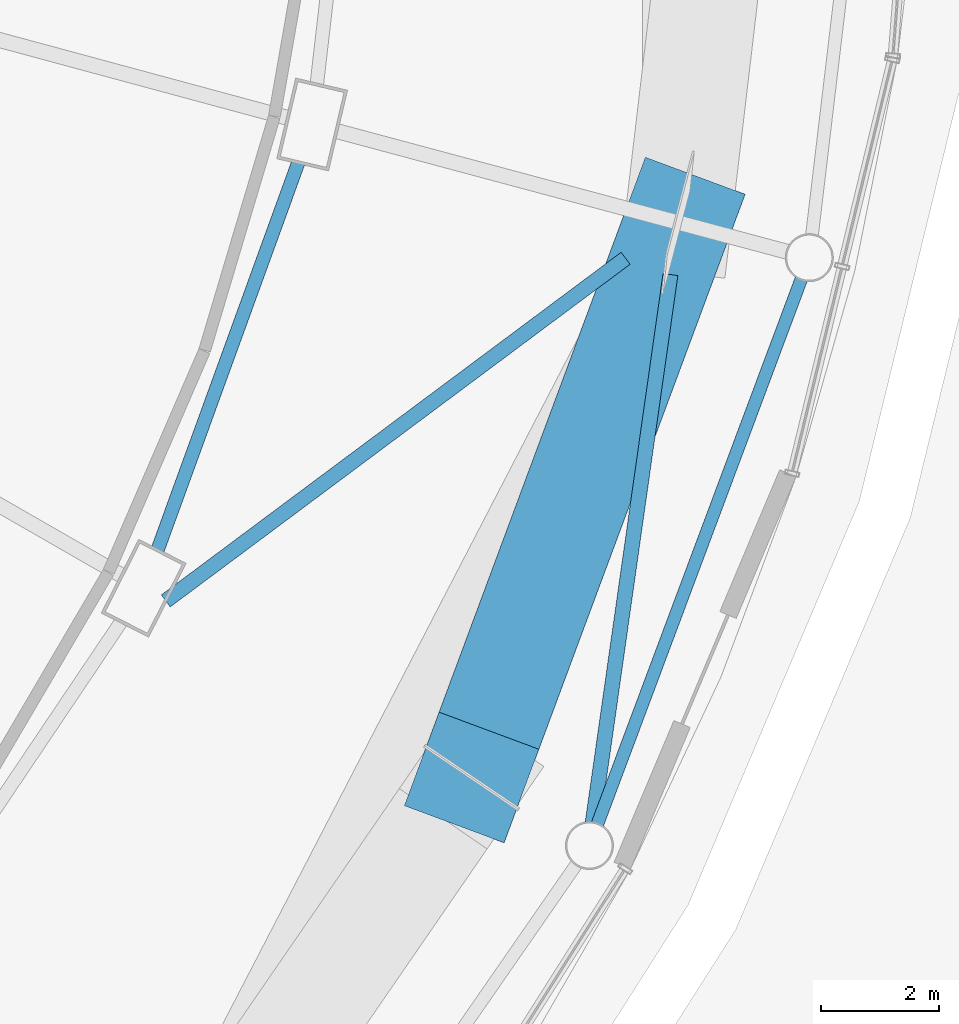
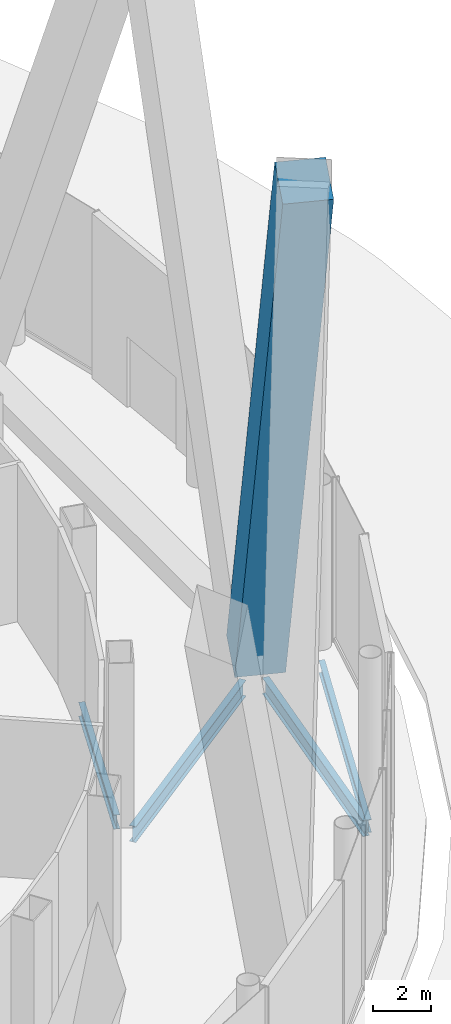
# One storey, part 33 of 67: 4 beams, 1 member.
"""IFC4 building model written with IfcOpenShell, lengths in metres."""

import ifcopenshell
import ifcopenshell.guid

model = None  # the IFC model being written
_history = None  # IfcOwnerHistory: only IFC2X3 demands one
_inside = {}  # id of a spatial element -> (the spatial element, [elements in it])
_under = {}  # id of a project, library or spatial element -> (it, [spatial elements below it])
_declared = {}  # id of a project -> (the project, [libraries it declares])
_typed = {}  # id of a type object -> (the type object, [elements of that type])
_made_of = {}  # id of a material, layer set ... -> (it, [elements and type objects made of it])


def new_model(schema):
    """Start an empty IFC model of exactly this schema.

    Asked for "IFC4X3", IfcOpenShell would pick the latest addendum, in which some entities
    have other attributes; the version numbers below select the first issue.
    IFC2X3 requires an IfcOwnerHistory on every rooted entity: one is made here for all.
    """
    global model, _history
    if schema == "IFC4X3":
        model = ifcopenshell.file(schema_version=(4, 3, 0, 0))
    else:
        model = ifcopenshell.file(schema=schema)
    _inside.clear()
    _under.clear()
    _declared.clear()
    _typed.clear()
    _made_of.clear()
    _history = None
    if model.schema == "IFC2X3":
        org = make("IfcOrganization", Name="unknown")
        user = make(
            "IfcPersonAndOrganization",
            ThePerson=make("IfcPerson", FamilyName="unknown"),
            TheOrganization=org,
        )
        app = make(
            "IfcApplication",
            ApplicationDeveloper=org,
            Version="unknown",
            ApplicationFullName="unknown",
            ApplicationIdentifier="unknown",
        )
        _history = make(
            "IfcOwnerHistory",
            OwningUser=user,
            OwningApplication=app,
            ChangeAction="ADDED",
            CreationDate=0,
        )
    return model


def make(cls, **values):
    """One entity of the class cls with the attributes given. An attribute that is None is left unset."""
    return model.create_entity(
        cls, **{name: value for name, value in values.items() if value is not None}
    )


def rooted(cls, **values):
    """An entity with a GlobalId (a new one), such as an element, a storey or a relation."""
    return make(cls, GlobalId=ifcopenshell.guid.new(), OwnerHistory=_history, **values)


def si_unit(unit_type, name, prefix=None):
    """IfcSIUnit, for example si_unit("LENGTHUNIT", "METRE", prefix="MILLI")."""
    return make("IfcSIUnit", UnitType=unit_type, Prefix=prefix, Name=name)


def assignment(units):
    """IfcUnitAssignment: the units of a project."""
    return None if units is None else make("IfcUnitAssignment", Units=units)


def point(xyz):
    """IfcCartesianPoint."""
    return None if xyz is None else make("IfcCartesianPoint", Coordinates=xyz)


def direction(xyz):
    """IfcDirection."""
    return None if xyz is None else make("IfcDirection", DirectionRatios=xyz)


def frame(location, z_axis=None, x_axis=None):
    """IfcAxis2Placement3D, a coordinate frame: its origin and axes. An axis left out is left unset."""
    return make(
        "IfcAxis2Placement3D",
        Location=point(location),
        Axis=direction(z_axis),
        RefDirection=direction(x_axis),
    )


def frame_2d(location, x_axis=None):
    """IfcAxis2Placement2D, a coordinate frame in the plane: its origin and x axis."""
    return make(
        "IfcAxis2Placement2D", Location=point(location), RefDirection=direction(x_axis)
    )


def origin():
    """The frame at (0, 0, 0) with its axes left unset."""
    return frame((0.0, 0.0, 0.0))


def origin_2d():
    """The frame at (0, 0) in the plane with its x axis left unset."""
    return frame_2d((0.0, 0.0))


def place(relative_to, where):
    """IfcLocalPlacement: puts the frame where relative to a parent placement (None: the world)."""
    return make(
        "IfcLocalPlacement", PlacementRelTo=relative_to, RelativePlacement=where
    )


def context(
    kind, dimensions, precision=None, world=None, true_north=None, identifier=None
):
    """IfcGeometricRepresentationContext, for example the 3D "Model" context."""
    return make(
        "IfcGeometricRepresentationContext",
        ContextIdentifier=identifier,
        ContextType=kind,
        CoordinateSpaceDimension=dimensions,
        Precision=precision,
        WorldCoordinateSystem=world,
        TrueNorth=true_north,
    )


def subcontext(parent, identifier, kind, view, scale=None):
    """IfcGeometricRepresentationSubContext, for example "Body" below "Model"."""
    return make(
        "IfcGeometricRepresentationSubContext",
        ContextIdentifier=identifier,
        ContextType=kind,
        ParentContext=parent,
        TargetScale=scale,
        TargetView=view,
    )


def project(units=None, contexts=None):
    """IfcProject with its units and contexts."""
    return rooted(
        "IfcProject",
        Name="project",
        RepresentationContexts=contexts,
        UnitsInContext=assignment(units),
    )


def spatial(cls, under=None, at=None, **own):
    """A site, building, storey or space (cls), placed at a placement, below another one or the project."""
    s = rooted(cls, ObjectPlacement=at, **own)
    if under is not None:
        _under.setdefault(under.id(), (under, []))[1].append(s)
    return s


def profile(cls, at=None, kind="AREA", **sizes):
    """A parametric profile (cls). Its sizes go by their IFC names, for example OverallWidth=200.0."""
    return make(cls, ProfileType=kind, Position=at, **sizes)


def rectangle(**sizes):
    """IfcRectangleProfileDef."""
    return profile("IfcRectangleProfileDef", **sizes)


def i_section(**sizes):
    """IfcIShapeProfileDef."""
    return profile("IfcIShapeProfileDef", **sizes)


def extrude(swept, where, along, depth):
    """IfcExtrudedAreaSolid: the profile swept, set in the frame where, extruded along a direction by depth."""
    return make(
        "IfcExtrudedAreaSolid",
        SweptArea=swept,
        Position=where,
        ExtrudedDirection=direction(along),
        Depth=depth,
    )


def shape(context_of_items, identifier, shape_type, items):
    """IfcShapeRepresentation: the items that make up one representation, for example the "Body"."""
    return make(
        "IfcShapeRepresentation",
        ContextOfItems=context_of_items,
        RepresentationIdentifier=identifier,
        RepresentationType=shape_type,
        Items=items,
    )


def material(Name=None, Category=None):
    """IfcMaterial."""
    return make("IfcMaterial", Name=Name, Category=Category)


def material_profile(
    of_material, cross_section, Name=None, Category=None, Priority=None
):
    """IfcMaterialProfile: a cross section and its material."""
    return make(
        "IfcMaterialProfile",
        Name=Name,
        Material=of_material,
        Profile=cross_section,
        Priority=Priority,
        Category=Category,
    )


def profile_set(profiles, Name=None, composite=None):
    """IfcMaterialProfileSet."""
    return make(
        "IfcMaterialProfileSet",
        Name=Name,
        MaterialProfiles=profiles,
        CompositeProfile=composite,
    )


def made_of(thing, what):
    """Note that an element or type object is made of a material, layer set ...; save() writes the relation."""
    if what is not None:
        _made_of.setdefault(what.id(), (what, []))[1].append(thing)
    return thing


def type_object(cls, material=None, **own):
    """A type object (cls), such as IfcWallType, which elements share."""
    return made_of(rooted(cls, **own), material)


def element(
    cls,
    number,
    at=None,
    inside=None,
    cuts=None,
    type_object=None,
    material=None,
    context=None,
    identifier="Body",
    shape_type=None,
    held_by="IfcProductDefinitionShape",
    body=None,
    shapes=None,
    **own,
):
    """One element of the class cls, such as IfcWall. Its Tag is "e" and its number.

    at: its placement. inside: the storey or other place that contains it. cuts: it is an
    opening in that element (IfcRelVoidsElement). A single representation is given by context,
    identifier, shape_type and body (its items); several are given by shapes. held_by: the class
    of the entity that holds the representations. save() writes the other relations.
    """
    e = rooted(cls, Tag="e%d" % number, ObjectPlacement=at, **own)
    if body is not None:
        shapes = [shape(context, identifier, shape_type, body)]
    if shapes is not None:
        e.Representation = make(held_by, Representations=shapes)
    if inside is not None:
        _inside.setdefault(inside.id(), (inside, []))[1].append(e)
    if cuts is not None:
        rooted(
            "IfcRelVoidsElement", RelatingBuildingElement=cuts, RelatedOpeningElement=e
        )
    if type_object is not None:
        _typed.setdefault(type_object.id(), (type_object, []))[1].append(e)
    return made_of(e, material)


def aggregate(whole, parts):
    """IfcRelAggregates: a whole, such as a stair, and the parts it consists of."""
    return rooted("IfcRelAggregates", RelatingObject=whole, RelatedObjects=parts)


def save(model, path):
    """Write the relations noted so far, then the file.

    IfcRelAggregates (storeys below a building ...), IfcRelContainedInSpatialStructure (elements
    in a storey), IfcRelDefinesByType, IfcRelAssociatesMaterial and IfcRelDeclares: one each for
    every whole, place, type object, material and project.
    """
    for whole, parts in _under.values():
        aggregate(whole, parts)
    for where, things in _inside.values():
        rooted(
            "IfcRelContainedInSpatialStructure",
            RelatedElements=things,
            RelatingStructure=where,
        )
    for kind, things in _typed.values():
        rooted("IfcRelDefinesByType", RelatedObjects=things, RelatingType=kind)
    for what, things in _made_of.values():
        rooted("IfcRelAssociatesMaterial", RelatedObjects=things, RelatingMaterial=what)
    for by, libraries in _declared.values():
        rooted("IfcRelDeclares", RelatingContext=by, RelatedDefinitions=libraries)
    model.write(path)


model = new_model("IFC4")

# Units and contexts
model_context = context("Model", 3, precision=1e-05, world=origin(), true_north=direction((0.0, 1.0)))
body_context = subcontext(model_context, "Body", "Model", "MODEL_VIEW")
ifc_project = project(units=[si_unit("LENGTHUNIT", "METRE"), si_unit("AREAUNIT", "SQUARE_METRE"), si_unit("VOLUMEUNIT", "CUBIC_METRE"), si_unit("PLANEANGLEUNIT", "RADIAN"), si_unit("MASSUNIT", "GRAM", prefix="KILO")], contexts=[model_context])

# Site, building, storey
site_placement = place(None, origin())
site = spatial("IfcSite", under=ifc_project, at=site_placement, CompositionType="ELEMENT")
building_placement = place(site_placement, origin())
building = spatial("IfcBuilding", under=site, at=building_placement, Name="Nagisa Residences", CompositionType="ELEMENT")
storey_placement = place(building_placement, origin())
storey = spatial("IfcBuildingStorey", under=building, at=storey_placement, Name="L00", CompositionType="ELEMENT", Elevation=0.0)

# Beams
ifc_material_1 = material(Name="Steel ASTM A572 Gr 50", Category="steel")
ifc_material_profile_1 = material_profile(ifc_material_1, i_section(OverallWidth=0.2529296875, OverallDepth=0.677978515625, WebThickness=0.01171875, FlangeThickness=0.016357421875, at=origin_2d()), Name="W690x125")
ifc_profile_set_1 = profile_set([ifc_material_profile_1], Name="Steel ASTM A572 Gr 50")
beam_type_1 = type_object("IfcBeamType", Name="Atrium outer beam W690x125", PredefinedType="BEAM", material=ifc_profile_set_1)
beam_1_placement = place(storey_placement, frame((28.65478515625, -16.46533203125, -0.739013671875), z_axis=(0.801821779267, 0.597563247107, 0.0), x_axis=(-0.597563247107, 0.801821779267, 0.0)))
element("IfcBeam", 1, at=beam_1_placement, inside=storey, type_object=beam_type_1, Name="beam:L00:er23a", PredefinedType="BEAM", context=body_context, shape_type="SweptSolid", body=[
    extrude(i_section(OverallWidth=0.2529296875, OverallDepth=0.677978515625, WebThickness=0.01171875, FlangeThickness=0.016357421875, at=origin_2d()), origin(), (0.0, 0.0, 1.0), 9.693603515625),
])
beam_2_placement = place(storey_placement, frame((37.185791015625, -10.9482421875, -0.739013671875), z_axis=(-0.140508564178, -0.990079463171, 0.0), x_axis=(0.990079463171, -0.140508564178, 0.0)))
element("IfcBeam", 2, at=beam_2_placement, inside=storey, type_object=beam_type_1, Name="beam:L00:er23b", PredefinedType="BEAM", context=body_context, shape_type="SweptSolid", body=[
    extrude(i_section(OverallWidth=0.2529296875, OverallDepth=0.677978515625, WebThickness=0.01171875, FlangeThickness=0.016357421875, at=origin_2d()), origin(), (0.0, 0.0, 1.0), 9.36181640625),
])
ifc_material_2 = material(Name="Steel ASTM A572 Gr 50", Category="steel")
ifc_material_profile_2 = material_profile(ifc_material_2, i_section(OverallWidth=0.214111328125, OverallDepth=0.549072265625, WebThickness=0.0146484375, FlangeThickness=0.023681640625, at=origin_2d()), Name="W530x138")
ifc_profile_set_2 = profile_set([ifc_material_profile_2], Name="Steel ASTM A572 Gr 50")
beam_type_2 = type_object("IfcBeamType", Name="Atrium ring beam W530x138", PredefinedType="BEAM", material=ifc_profile_set_2)
beam_3_placement = place(storey_placement, frame((35.951416015625, -20.238037109375, -0.674560546875), z_axis=(0.350304540877, 0.936635857012, 0.0), x_axis=(-0.936635857012, 0.350304540877, 0.0)))
element("IfcBeam", 3, at=beam_3_placement, inside=storey, type_object=beam_type_2, Name="beam:L00:ab23", PredefinedType="BEAM", context=body_context, shape_type="SweptSolid", body=[
    extrude(i_section(OverallWidth=0.214111328125, OverallDepth=0.549072265625, WebThickness=0.0146484375, FlangeThickness=0.023681640625, at=origin_2d()), origin(), (0.0, 0.0, 1.0), 9.8359375),
])

# Member
ifc_material_3 = material(Name="Concrete C80", Category="concrete")
ifc_material_profile_3 = material_profile(ifc_material_3, rectangle(XDim=1.800048828125, YDim=1.800048828125, at=origin_2d()), Name="C80 1800x1800")
ifc_profile_set_3 = profile_set([ifc_material_profile_3], Name="Concrete C80")
member_type = type_object("IfcMemberType", Name="Cage diagonal 1 C80 1800x1800", PredefinedType="BRACE", material=ifc_profile_set_3)
member_placement = place(storey_placement, frame((37.310791015625, -10.068115234375, 0.0), z_axis=(-0.121080878457, -0.325810237192, 0.937649780149), x_axis=(0.937363610568, -0.348352496162, 0.0)))
element("IfcMember", 4, at=member_placement, inside=storey, type_object=member_type, Name="mem:L00:cg1d024", PredefinedType="BRACE", context=body_context, shape_type="SweptSolid", body=[
    extrude(rectangle(XDim=1.800048828125, YDim=1.800048828125, at=origin_2d()), origin(), (0.0, 0.0, 1.0), 28.79541015625),
])

# Beam
ifc_material_4 = material(Name="Steel ASTM A572 Gr 50", Category="steel")
ifc_material_profile_4 = material_profile(ifc_material_4, i_section(OverallWidth=0.22802734375, OverallDepth=0.60302734375, WebThickness=0.010498046875, FlangeThickness=0.014892578125, at=origin_2d()), Name="W610x101")
ifc_profile_set_4 = profile_set([ifc_material_profile_4], Name="Steel ASTM A572 Gr 50")
beam_type_3 = type_object("IfcBeamType", Name="Perimeter ring beam W610x101", PredefinedType="BEAM", material=ifc_profile_set_4)
beam_4_placement = place(storey_placement, frame((28.515625, -15.60595703125, -0.701416015625), z_axis=(0.341411143183, 0.939914055279, 0.0), x_axis=(-0.939914055279, 0.341411143183, 0.0)))
element("IfcBeam", 5, at=beam_4_placement, inside=storey, type_object=beam_type_3, Name="beam:L00:pb23", PredefinedType="BEAM", context=body_context, shape_type="SweptSolid", body=[
    extrude(i_section(OverallWidth=0.22802734375, OverallDepth=0.60302734375, WebThickness=0.010498046875, FlangeThickness=0.014892578125, at=origin_2d()), origin(), (0.0, 0.0, 1.0), 6.96923828125),
])

save(model, "model.ifc")
